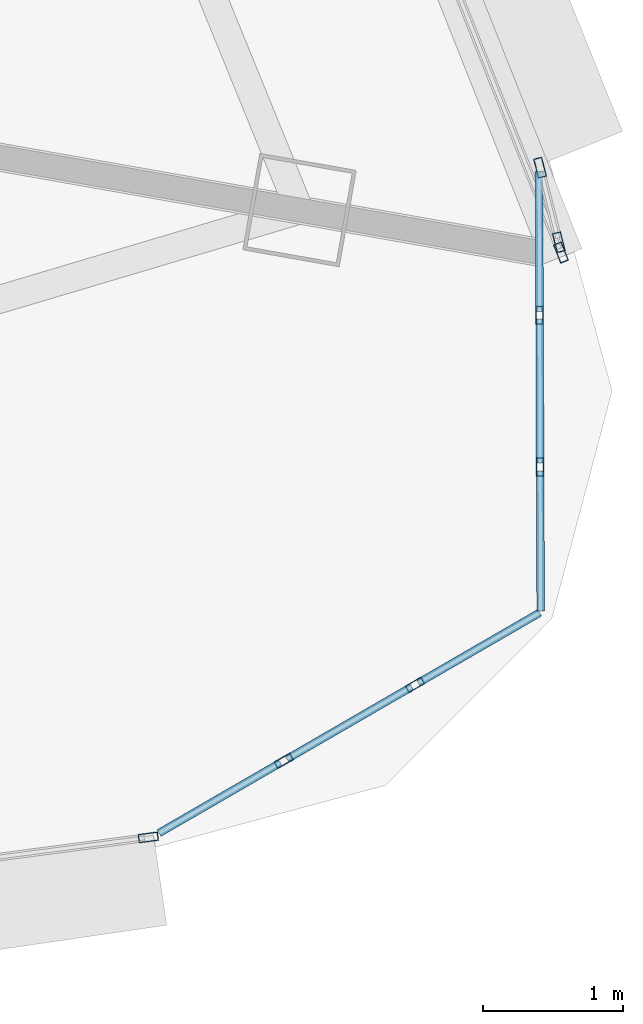
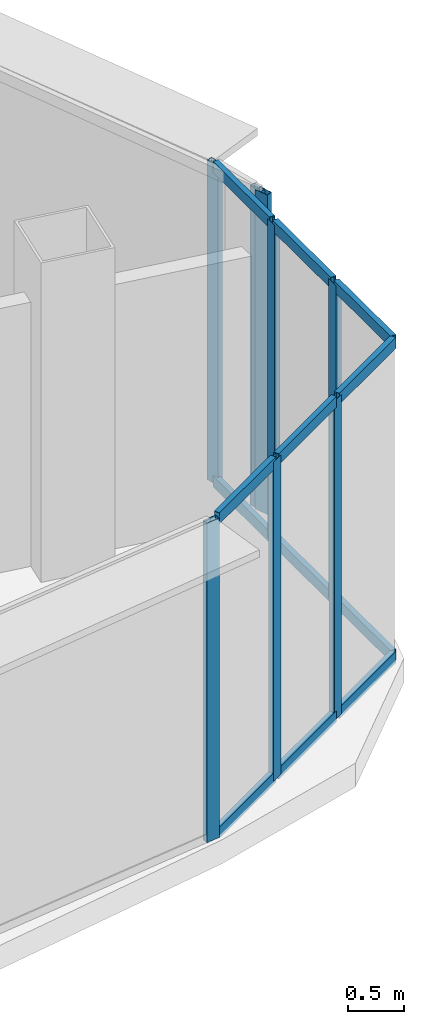
# One storey, part 12 of 29: 20 members, 5 elements without a shape of their own.
"""IFC4 building model written with IfcOpenShell, lengths in metres."""

import ifcopenshell
import ifcopenshell.guid

model = None  # the IFC model being written
_history = None  # IfcOwnerHistory: only IFC2X3 demands one
_inside = {}  # id of a spatial element -> (the spatial element, [elements in it])
_under = {}  # id of a project, library or spatial element -> (it, [spatial elements below it])
_declared = {}  # id of a project -> (the project, [libraries it declares])
_typed = {}  # id of a type object -> (the type object, [elements of that type])
_made_of = {}  # id of a material, layer set ... -> (it, [elements and type objects made of it])


def new_model(schema):
    """Start an empty IFC model of exactly this schema.

    Asked for "IFC4X3", IfcOpenShell would pick the latest addendum, in which some entities
    have other attributes; the version numbers below select the first issue.
    IFC2X3 requires an IfcOwnerHistory on every rooted entity: one is made here for all.
    """
    global model, _history
    if schema == "IFC4X3":
        model = ifcopenshell.file(schema_version=(4, 3, 0, 0))
    else:
        model = ifcopenshell.file(schema=schema)
    _inside.clear()
    _under.clear()
    _declared.clear()
    _typed.clear()
    _made_of.clear()
    _history = None
    if model.schema == "IFC2X3":
        org = make("IfcOrganization", Name="unknown")
        user = make(
            "IfcPersonAndOrganization",
            ThePerson=make("IfcPerson", FamilyName="unknown"),
            TheOrganization=org,
        )
        app = make(
            "IfcApplication",
            ApplicationDeveloper=org,
            Version="unknown",
            ApplicationFullName="unknown",
            ApplicationIdentifier="unknown",
        )
        _history = make(
            "IfcOwnerHistory",
            OwningUser=user,
            OwningApplication=app,
            ChangeAction="ADDED",
            CreationDate=0,
        )
    return model


def make(cls, **values):
    """One entity of the class cls with the attributes given. An attribute that is None is left unset."""
    return model.create_entity(
        cls, **{name: value for name, value in values.items() if value is not None}
    )


def rooted(cls, **values):
    """An entity with a GlobalId (a new one), such as an element, a storey or a relation."""
    return make(cls, GlobalId=ifcopenshell.guid.new(), OwnerHistory=_history, **values)


def si_unit(unit_type, name, prefix=None):
    """IfcSIUnit, for example si_unit("LENGTHUNIT", "METRE", prefix="MILLI")."""
    return make("IfcSIUnit", UnitType=unit_type, Prefix=prefix, Name=name)


def assignment(units):
    """IfcUnitAssignment: the units of a project."""
    return None if units is None else make("IfcUnitAssignment", Units=units)


def point(xyz):
    """IfcCartesianPoint."""
    return None if xyz is None else make("IfcCartesianPoint", Coordinates=xyz)


def direction(xyz):
    """IfcDirection."""
    return None if xyz is None else make("IfcDirection", DirectionRatios=xyz)


def frame(location, z_axis=None, x_axis=None):
    """IfcAxis2Placement3D, a coordinate frame: its origin and axes. An axis left out is left unset."""
    return make(
        "IfcAxis2Placement3D",
        Location=point(location),
        Axis=direction(z_axis),
        RefDirection=direction(x_axis),
    )


def frame_2d(location, x_axis=None):
    """IfcAxis2Placement2D, a coordinate frame in the plane: its origin and x axis."""
    return make(
        "IfcAxis2Placement2D", Location=point(location), RefDirection=direction(x_axis)
    )


def origin():
    """The frame at (0, 0, 0) with its axes left unset."""
    return frame((0.0, 0.0, 0.0))


def origin_2d():
    """The frame at (0, 0) in the plane with its x axis left unset."""
    return frame_2d((0.0, 0.0))


def place(relative_to, where):
    """IfcLocalPlacement: puts the frame where relative to a parent placement (None: the world)."""
    return make(
        "IfcLocalPlacement", PlacementRelTo=relative_to, RelativePlacement=where
    )


def context(
    kind, dimensions, precision=None, world=None, true_north=None, identifier=None
):
    """IfcGeometricRepresentationContext, for example the 3D "Model" context."""
    return make(
        "IfcGeometricRepresentationContext",
        ContextIdentifier=identifier,
        ContextType=kind,
        CoordinateSpaceDimension=dimensions,
        Precision=precision,
        WorldCoordinateSystem=world,
        TrueNorth=true_north,
    )


def subcontext(parent, identifier, kind, view, scale=None):
    """IfcGeometricRepresentationSubContext, for example "Body" below "Model"."""
    return make(
        "IfcGeometricRepresentationSubContext",
        ContextIdentifier=identifier,
        ContextType=kind,
        ParentContext=parent,
        TargetScale=scale,
        TargetView=view,
    )


def project(units=None, contexts=None):
    """IfcProject with its units and contexts."""
    return rooted(
        "IfcProject",
        Name="project",
        RepresentationContexts=contexts,
        UnitsInContext=assignment(units),
    )


def spatial(cls, under=None, at=None, **own):
    """A site, building, storey or space (cls), placed at a placement, below another one or the project."""
    s = rooted(cls, ObjectPlacement=at, **own)
    if under is not None:
        _under.setdefault(under.id(), (under, []))[1].append(s)
    return s


def profile(cls, at=None, kind="AREA", **sizes):
    """A parametric profile (cls). Its sizes go by their IFC names, for example OverallWidth=200.0."""
    return make(cls, ProfileType=kind, Position=at, **sizes)


def hollow_rectangle(**sizes):
    """IfcRectangleHollowProfileDef."""
    return profile("IfcRectangleHollowProfileDef", **sizes)


def extrude(swept, where, along, depth):
    """IfcExtrudedAreaSolid: the profile swept, set in the frame where, extruded along a direction by depth."""
    return make(
        "IfcExtrudedAreaSolid",
        SweptArea=swept,
        Position=where,
        ExtrudedDirection=direction(along),
        Depth=depth,
    )


def shape(context_of_items, identifier, shape_type, items):
    """IfcShapeRepresentation: the items that make up one representation, for example the "Body"."""
    return make(
        "IfcShapeRepresentation",
        ContextOfItems=context_of_items,
        RepresentationIdentifier=identifier,
        RepresentationType=shape_type,
        Items=items,
    )


def source(mapping_origin, context_of_items, identifier, shape_type, items):
    """IfcRepresentationMap: a shape defined once, which mapped items show again and again."""
    return make(
        "IfcRepresentationMap",
        MappingOrigin=mapping_origin,
        MappedRepresentation=shape(context_of_items, identifier, shape_type, items),
    )


def transform(
    local_origin,
    x_axis=None,
    y_axis=None,
    z_axis=None,
    scale=None,
    scale2=None,
    scale3=None,
    uniform=True,
):
    """IfcCartesianTransformationOperator3D, or its non-uniform kind. x_axis, y_axis, z_axis: its Axis1, 2, 3."""
    if uniform:
        return make(
            "IfcCartesianTransformationOperator3D",
            Axis1=direction(x_axis),
            Axis2=direction(y_axis),
            LocalOrigin=point(local_origin),
            Scale=scale,
            Axis3=direction(z_axis),
        )
    return make(
        "IfcCartesianTransformationOperator3DnonUniform",
        Axis1=direction(x_axis),
        Axis2=direction(y_axis),
        LocalOrigin=point(local_origin),
        Scale=scale,
        Axis3=direction(z_axis),
        Scale2=scale2,
        Scale3=scale3,
    )


def mapped(mapping_source, mapping_target):
    """IfcMappedItem: shows the shape of a source again, moved by a transform."""
    return make(
        "IfcMappedItem", MappingSource=mapping_source, MappingTarget=mapping_target
    )


def material(Name=None, Category=None):
    """IfcMaterial."""
    return make("IfcMaterial", Name=Name, Category=Category)


def layer(
    of_material, thickness, ventilated=None, Name=None, Category=None, Priority=None
):
    """IfcMaterialLayer: one layer of a wall or slab, of a material (None: an air gap)."""
    return make(
        "IfcMaterialLayer",
        Material=of_material,
        LayerThickness=thickness,
        IsVentilated=ventilated,
        Name=Name,
        Category=Category,
        Priority=Priority,
    )


def layer_set(layers, Name=None):
    """IfcMaterialLayerSet."""
    return make("IfcMaterialLayerSet", MaterialLayers=layers, LayerSetName=Name)


def material_profile(
    of_material, cross_section, Name=None, Category=None, Priority=None
):
    """IfcMaterialProfile: a cross section and its material."""
    return make(
        "IfcMaterialProfile",
        Name=Name,
        Material=of_material,
        Profile=cross_section,
        Priority=Priority,
        Category=Category,
    )


def profile_set(profiles, Name=None, composite=None):
    """IfcMaterialProfileSet."""
    return make(
        "IfcMaterialProfileSet",
        Name=Name,
        MaterialProfiles=profiles,
        CompositeProfile=composite,
    )


def made_of(thing, what):
    """Note that an element or type object is made of a material, layer set ...; save() writes the relation."""
    if what is not None:
        _made_of.setdefault(what.id(), (what, []))[1].append(thing)
    return thing


def type_object(cls, material=None, **own):
    """A type object (cls), such as IfcWallType, which elements share."""
    return made_of(rooted(cls, **own), material)


def element(
    cls,
    number,
    at=None,
    inside=None,
    cuts=None,
    type_object=None,
    material=None,
    context=None,
    identifier="Body",
    shape_type=None,
    held_by="IfcProductDefinitionShape",
    body=None,
    shapes=None,
    **own,
):
    """One element of the class cls, such as IfcWall. Its Tag is "e" and its number.

    at: its placement. inside: the storey or other place that contains it. cuts: it is an
    opening in that element (IfcRelVoidsElement). A single representation is given by context,
    identifier, shape_type and body (its items); several are given by shapes. held_by: the class
    of the entity that holds the representations. save() writes the other relations.
    """
    e = rooted(cls, Tag="e%d" % number, ObjectPlacement=at, **own)
    if body is not None:
        shapes = [shape(context, identifier, shape_type, body)]
    if shapes is not None:
        e.Representation = make(held_by, Representations=shapes)
    if inside is not None:
        _inside.setdefault(inside.id(), (inside, []))[1].append(e)
    if cuts is not None:
        rooted(
            "IfcRelVoidsElement", RelatingBuildingElement=cuts, RelatedOpeningElement=e
        )
    if type_object is not None:
        _typed.setdefault(type_object.id(), (type_object, []))[1].append(e)
    return made_of(e, material)


def aggregate(whole, parts):
    """IfcRelAggregates: a whole, such as a stair, and the parts it consists of."""
    return rooted("IfcRelAggregates", RelatingObject=whole, RelatedObjects=parts)


def save(model, path):
    """Write the relations noted so far, then the file.

    IfcRelAggregates (storeys below a building ...), IfcRelContainedInSpatialStructure (elements
    in a storey), IfcRelDefinesByType, IfcRelAssociatesMaterial and IfcRelDeclares: one each for
    every whole, place, type object, material and project.
    """
    for whole, parts in _under.values():
        aggregate(whole, parts)
    for where, things in _inside.values():
        rooted(
            "IfcRelContainedInSpatialStructure",
            RelatedElements=things,
            RelatingStructure=where,
        )
    for kind, things in _typed.values():
        rooted("IfcRelDefinesByType", RelatedObjects=things, RelatingType=kind)
    for what, things in _made_of.values():
        rooted("IfcRelAssociatesMaterial", RelatedObjects=things, RelatingMaterial=what)
    for by, libraries in _declared.values():
        rooted("IfcRelDeclares", RelatingContext=by, RelatedDefinitions=libraries)
    model.write(path)


model = new_model("IFC4")

# Units and contexts
model_context = context("Model", 3, precision=1e-05, world=origin(), true_north=direction((0.0, 1.0)))
body_context = subcontext(model_context, "Body", "Model", "MODEL_VIEW")
ifc_project = project(units=[si_unit("LENGTHUNIT", "METRE"), si_unit("AREAUNIT", "SQUARE_METRE"), si_unit("VOLUMEUNIT", "CUBIC_METRE"), si_unit("PLANEANGLEUNIT", "RADIAN"), si_unit("MASSUNIT", "GRAM", prefix="KILO"), si_unit("THERMODYNAMICTEMPERATUREUNIT", "KELVIN"), si_unit("POWERUNIT", "WATT")], contexts=[model_context])

# Site, building, storey
site_placement = place(None, origin())
site = spatial("IfcSite", under=ifc_project, at=site_placement, CompositionType="ELEMENT")
building_placement = place(site_placement, origin())
building = spatial("IfcBuilding", under=site, at=building_placement, Name="Yunzhuo Pagoda Commons", CompositionType="ELEMENT")
storey_placement = place(building_placement, frame((0.0, 0.0, 363.010009765625)))
storey = spatial("IfcBuildingStorey", under=building, at=storey_placement, Name="L91", CompositionType="ELEMENT", Elevation=363.010009765625)

# Curtain wall, member
ifc_material = material(Name="Anodized aluminium 6063-T6", Category="aluminium")
ifc_layer_1 = layer(ifc_material, 0.139892578125)
ifc_layer_set_1 = layer_set([ifc_layer_1], Name="Anodized aluminium 6063-T6")
curtain_wall_type_1 = type_object("IfcCurtainWallType", Name="CW-HI High-Zone Ribbon Curtain Wall", PredefinedType="NOTDEFINED", material=ifc_layer_set_1)
curtain_wall_1_placement = place(storey_placement, origin())
curtain_wall_1 = element("IfcCurtainWall", 1, at=curtain_wall_1_placement, inside=storey, type_object=curtain_wall_type_1, Name="L91 curtain wall CW-L91-F1B5", PredefinedType="NOTDEFINED")
ifc_material_profile_1 = material_profile(ifc_material, hollow_rectangle(XDim=0.06005859375, YDim=0.139892578125, WallThickness=0.00341796875, at=origin_2d()), Name="Anodized aluminium 6063-T6")
ifc_profile_set_1 = profile_set([ifc_material_profile_1], Name="Anodized aluminium 6063-T6")
member_type_1 = type_object("IfcMemberType", Name="CW-HI-M Mullion RHS 140x60x3.5", PredefinedType="MULLION", material=ifc_profile_set_1)
shared_shape_1 = source(origin(), body_context, "Body", "SweptSolid", [
    extrude(hollow_rectangle(XDim=0.06005859375, YDim=0.139892578125, WallThickness=0.00341796875, at=origin_2d()), origin(), (0.0, 0.0, 1.0), 3.47021484375),
])
member_1_placement = place(storey_placement, frame((71.3896484375, 24.903076171875, 0.0), z_axis=(0.0, 0.0, 1.0), x_axis=(-0.130505551679, 0.991447578534, 0.0)))
member_1 = element("IfcMember", 2, at=member_1_placement, type_object=member_type_1, Name="CW mullion 2", PredefinedType="MULLION", context=body_context, shape_type="MappedRepresentation", body=[
    mapped(shared_shape_1, transform((0.0, 0.0, 0.0), scale=1.0)),
])
aggregate(curtain_wall_1, [member_1])

curtain_wall_2_placement = place(storey_placement, origin())
curtain_wall_2 = element("IfcCurtainWall", 3, at=curtain_wall_2_placement, inside=storey, type_object=curtain_wall_type_1, Name="L91 curtain wall CW-L91-F2B2", PredefinedType="NOTDEFINED")
member_2_placement = place(storey_placement, frame((74.337890625, 29.081787109375, 0.0), z_axis=(0.0, 0.0, 1.0), x_axis=(-0.929441197274, -0.368970270902, 0.0)))
member_2 = element("IfcMember", 4, at=member_2_placement, type_object=member_type_1, Name="CW mullion 1", PredefinedType="MULLION", context=body_context, shape_type="MappedRepresentation", body=[
    mapped(shared_shape_1, transform((0.0, 0.0, 0.0), scale=1.0)),
])
aggregate(curtain_wall_2, [member_2])

# Curtain wall, members
curtain_wall_3_placement = place(storey_placement, origin())
curtain_wall_3 = element("IfcCurtainWall", 5, at=curtain_wall_3_placement, inside=storey, type_object=curtain_wall_type_1, Name="L91 curtain wall CW-L91-F2B1", PredefinedType="NOTDEFINED")
member_3_placement = place(storey_placement, frame((74.188720703125, 29.6884765625, 0.0), z_axis=(0.0, 0.0, 1.0), x_axis=(0.969716189017, 0.244234544564, 0.0)))
member_3 = element("IfcMember", 6, at=member_3_placement, type_object=member_type_1, Name="CW mullion 1", PredefinedType="MULLION", context=body_context, shape_type="MappedRepresentation", body=[
    mapped(shared_shape_1, transform((0.0, 0.0, 0.0), scale=1.0)),
])
member_4_placement = place(storey_placement, frame((74.322998046875, 29.15576171875, 0.0), z_axis=(0.0, 0.0, 1.0), x_axis=(0.969716189017, 0.244234544564, 0.0)))
member_4 = element("IfcMember", 7, at=member_4_placement, type_object=member_type_1, Name="CW mullion 2", PredefinedType="MULLION", context=body_context, shape_type="MappedRepresentation", body=[
    mapped(shared_shape_1, transform((0.0, 0.0, 0.0), scale=1.0)),
])
aggregate(curtain_wall_3, [member_3, member_4])

ifc_layer_2 = layer(ifc_material, 0.1298828125)
ifc_layer_set_2 = layer_set([ifc_layer_2], Name="Anodized aluminium 6063-T6")
curtain_wall_type_2 = type_object("IfcCurtainWallType", Name="CW-VTX Rounded Corner Curtain Wall", PredefinedType="NOTDEFINED", material=ifc_layer_set_2)
curtain_wall_4_placement = place(storey_placement, origin())
curtain_wall_4 = element("IfcCurtainWall", 8, at=curtain_wall_4_placement, inside=storey, type_object=curtain_wall_type_2, Name="L91 curtain wall CW-L91-VTX2S1", PredefinedType="NOTDEFINED")
ifc_material_profile_2 = material_profile(ifc_material, hollow_rectangle(XDim=0.054931640625, YDim=0.1298828125, WallThickness=0.00341796875, at=origin_2d()), Name="Anodized aluminium 6063-T6")
ifc_profile_set_2 = profile_set([ifc_material_profile_2], Name="Anodized aluminium 6063-T6")
member_type_2 = type_object("IfcMemberType", Name="CW-VTX-M Mullion RHS 130x55x3.5", PredefinedType="MULLION", material=ifc_profile_set_2)
shared_shape_2 = source(origin(), body_context, "Body", "SweptSolid", [
    extrude(hollow_rectangle(XDim=0.054931640625, YDim=0.1298828125, WallThickness=0.00341796875, at=origin_2d()), origin(), (0.0, 0.0, 1.0), 3.47021484375),
])
member_5_placement = place(storey_placement, frame((72.357421875, 25.449951171875, 0.0), z_axis=(0.0, 0.0, 1.0), x_axis=(-0.501016871191, 0.865437516394, 0.0)))
member_5 = element("IfcMember", 9, at=member_5_placement, type_object=member_type_2, Name="CW mullion 2", PredefinedType="MULLION", context=body_context, shape_type="MappedRepresentation", body=[
    mapped(shared_shape_2, transform((0.0, 0.0, 0.0), scale=1.0)),
])
member_6_placement = place(storey_placement, frame((73.295166015625, 25.992919921875, 0.0), z_axis=(0.0, 0.0, 1.0), x_axis=(-0.501016871191, 0.865437516394, 0.0)))
member_6 = element("IfcMember", 10, at=member_6_placement, type_object=member_type_2, Name="CW mullion 3", PredefinedType="MULLION", context=body_context, shape_type="MappedRepresentation", body=[
    mapped(shared_shape_2, transform((0.0, 0.0, 0.0), scale=1.0)),
])

curtain_wall_5_placement = place(storey_placement, origin())
curtain_wall_5 = element("IfcCurtainWall", 11, at=curtain_wall_5_placement, inside=storey, type_object=curtain_wall_type_2, Name="L91 curtain wall CW-L91-VTX2S2", PredefinedType="NOTDEFINED")
member_7_placement = place(storey_placement, frame((74.189208984375, 27.550048828125, 0.0), z_axis=(0.0, 0.0, 1.0), x_axis=(-0.999993524845, -0.003598647958, 0.0)))
member_7 = element("IfcMember", 12, at=member_7_placement, type_object=member_type_2, Name="CW mullion 2", PredefinedType="MULLION", context=body_context, shape_type="MappedRepresentation", body=[
    mapped(shared_shape_2, transform((0.0, 0.0, 0.0), scale=1.0)),
])
member_8_placement = place(storey_placement, frame((74.185302734375, 28.6337890625, 0.0), z_axis=(0.0, 0.0, 1.0), x_axis=(-0.999993524845, -0.003598647958, 0.0)))
member_8 = element("IfcMember", 13, at=member_8_placement, type_object=member_type_2, Name="CW mullion 3", PredefinedType="MULLION", context=body_context, shape_type="MappedRepresentation", body=[
    mapped(shared_shape_2, transform((0.0, 0.0, 0.0), scale=1.0)),
])

# Member
ifc_material_profile_3 = material_profile(ifc_material, hollow_rectangle(XDim=0.054931640625, YDim=0.1201171875, WallThickness=0.00341796875, at=origin_2d()), Name="Anodized aluminium 6063-T6")
ifc_profile_set_3 = profile_set([ifc_material_profile_3], Name="Anodized aluminium 6063-T6")
member_type_3 = type_object("IfcMemberType", Name="CW-VTX-T Transom RHS 120x55x3.5", PredefinedType="USERDEFINED", material=ifc_profile_set_3)
shared_shape_3 = source(origin(), body_context, "Body", "SweptSolid", [
    extrude(hollow_rectangle(XDim=0.054931640625, YDim=0.1201171875, WallThickness=0.00341796875, at=origin_2d()), origin(), (0.0, 0.0, 1.0), 1.001220703125),
])
member_9_placement = place(storey_placement, frame((71.467041015625, 24.9345703125, 0.027587890625), z_axis=(0.865498628265, 0.500911294014, 0.0), x_axis=(-0.500911294014, 0.865498628265, 0.0)))
member_9 = element("IfcMember", 14, at=member_9_placement, type_object=member_type_3, Name="CW transom 1.1", ObjectType="TRANSOM", PredefinedType="USERDEFINED", context=body_context, shape_type="MappedRepresentation", body=[
    mapped(shared_shape_3, transform((0.0, 0.0, 0.0), scale=1.0)),
])

member_10_placement = place(storey_placement, frame((71.467041015625, 24.9345703125, 3.4423828125), z_axis=(0.865498628265, 0.500911294014, 0.0), x_axis=(-0.500911294014, 0.865498628265, 0.0)))
member_10 = element("IfcMember", 15, at=member_10_placement, type_object=member_type_3, Name="CW transom 1.2", ObjectType="TRANSOM", PredefinedType="USERDEFINED", context=body_context, shape_type="MappedRepresentation", body=[
    mapped(shared_shape_3, transform((0.0, 0.0, 0.0), scale=1.0)),
])

member_11_placement = place(storey_placement, frame((73.319091796875, 26.006591796875, 0.027587890625), z_axis=(0.865392894497, 0.501093941446, 0.0), x_axis=(-0.501093941446, 0.865392894497, 0.0)))
member_11 = element("IfcMember", 16, at=member_11_placement, type_object=member_type_3, Name="CW transom 3.1", ObjectType="TRANSOM", PredefinedType="USERDEFINED", context=body_context, shape_type="MappedRepresentation", body=[
    mapped(shared_shape_3, transform((0.0, 0.0, 0.0), scale=1.0)),
])

member_12_placement = place(storey_placement, frame((73.319091796875, 26.006591796875, 3.4423828125), z_axis=(0.865392894497, 0.501093941446, 0.0), x_axis=(-0.501093941446, 0.865392894497, 0.0)))
member_12 = element("IfcMember", 17, at=member_12_placement, type_object=member_type_3, Name="CW transom 3.2", ObjectType="TRANSOM", PredefinedType="USERDEFINED", context=body_context, shape_type="MappedRepresentation", body=[
    mapped(shared_shape_3, transform((0.0, 0.0, 0.0), scale=1.0)),
])

member_13_placement = place(storey_placement, frame((74.193115234375, 26.521240234375, 0.027587890625), z_axis=(-0.003657620011, 0.999993310886, 0.0), x_axis=(-0.999993310886, -0.003657620011, 0.0)))
member_13 = element("IfcMember", 18, at=member_13_placement, type_object=member_type_3, Name="CW transom 1.1", ObjectType="TRANSOM", PredefinedType="USERDEFINED", context=body_context, shape_type="MappedRepresentation", body=[
    mapped(shared_shape_3, transform((0.0, 0.0, 0.0), scale=1.0)),
])

member_14_placement = place(storey_placement, frame((74.193115234375, 26.521240234375, 3.4423828125), z_axis=(-0.003657620011, 0.999993310886, 0.0), x_axis=(-0.999993310886, -0.003657620011, 0.0)))
member_14 = element("IfcMember", 19, at=member_14_placement, type_object=member_type_3, Name="CW transom 1.2", ObjectType="TRANSOM", PredefinedType="USERDEFINED", context=body_context, shape_type="MappedRepresentation", body=[
    mapped(shared_shape_3, transform((0.0, 0.0, 0.0), scale=1.0)),
])

member_15_placement = place(storey_placement, frame((74.185302734375, 28.661376953125, 0.027587890625), z_axis=(-0.003657620011, 0.999993310886, 0.0), x_axis=(-0.999993310886, -0.003657620011, 0.0)))
member_15 = element("IfcMember", 20, at=member_15_placement, type_object=member_type_3, Name="CW transom 3.1", ObjectType="TRANSOM", PredefinedType="USERDEFINED", context=body_context, shape_type="MappedRepresentation", body=[
    mapped(shared_shape_3, transform((0.0, 0.0, 0.0), scale=1.0)),
])

member_16_placement = place(storey_placement, frame((74.185302734375, 28.661376953125, 3.4423828125), z_axis=(-0.003657620011, 0.999993310886, 0.0), x_axis=(-0.999993310886, -0.003657620011, 0.0)))
member_16 = element("IfcMember", 21, at=member_16_placement, type_object=member_type_3, Name="CW transom 3.2", ObjectType="TRANSOM", PredefinedType="USERDEFINED", context=body_context, shape_type="MappedRepresentation", body=[
    mapped(shared_shape_3, transform((0.0, 0.0, 0.0), scale=1.0)),
])

shared_shape_4 = source(origin(), body_context, "Body", "SweptSolid", [
    extrude(hollow_rectangle(XDim=0.054931640625, YDim=0.1201171875, WallThickness=0.00341796875, at=origin_2d()), origin(), (0.0, 0.0, 1.0), 1.028564453125),
])
member_17_placement = place(storey_placement, frame((72.38134765625, 25.463623046875, 0.027587890625), z_axis=(0.865410034323, 0.501064339675, 0.0), x_axis=(-0.501064339675, 0.865410034323, 0.0)))
member_17 = element("IfcMember", 22, at=member_17_placement, type_object=member_type_3, Name="CW transom 2.1", ObjectType="TRANSOM", PredefinedType="USERDEFINED", context=body_context, shape_type="MappedRepresentation", body=[
    mapped(shared_shape_4, transform((0.0, 0.0, 0.0), scale=1.0)),
])

member_18_placement = place(storey_placement, frame((72.38134765625, 25.463623046875, 3.4423828125), z_axis=(0.865410034323, 0.501064339675, 0.0), x_axis=(-0.501064339675, 0.865410034323, 0.0)))
member_18 = element("IfcMember", 23, at=member_18_placement, type_object=member_type_3, Name="CW transom 2.2", ObjectType="TRANSOM", PredefinedType="USERDEFINED", context=body_context, shape_type="MappedRepresentation", body=[
    mapped(shared_shape_4, transform((0.0, 0.0, 0.0), scale=1.0)),
])

aggregate(curtain_wall_4, [member_5, member_6, member_9, member_10, member_17, member_18, member_11, member_12])

member_19_placement = place(storey_placement, frame((74.189208984375, 27.57763671875, 0.027587890625), z_axis=(-0.003560385694, 0.999993661807, 0.0), x_axis=(-0.999993661807, -0.003560385694, 0.0)))
member_19 = element("IfcMember", 24, at=member_19_placement, type_object=member_type_3, Name="CW transom 2.1", ObjectType="TRANSOM", PredefinedType="USERDEFINED", context=body_context, shape_type="MappedRepresentation", body=[
    mapped(shared_shape_4, transform((0.0, 0.0, 0.0), scale=1.0)),
])

member_20_placement = place(storey_placement, frame((74.189208984375, 27.57763671875, 3.4423828125), z_axis=(-0.003560385694, 0.999993661807, 0.0), x_axis=(-0.999993661807, -0.003560385694, 0.0)))
member_20 = element("IfcMember", 25, at=member_20_placement, type_object=member_type_3, Name="CW transom 2.2", ObjectType="TRANSOM", PredefinedType="USERDEFINED", context=body_context, shape_type="MappedRepresentation", body=[
    mapped(shared_shape_4, transform((0.0, 0.0, 0.0), scale=1.0)),
])

aggregate(curtain_wall_5, [member_7, member_8, member_13, member_14, member_19, member_20, member_15, member_16])

save(model, "model.ifc")
